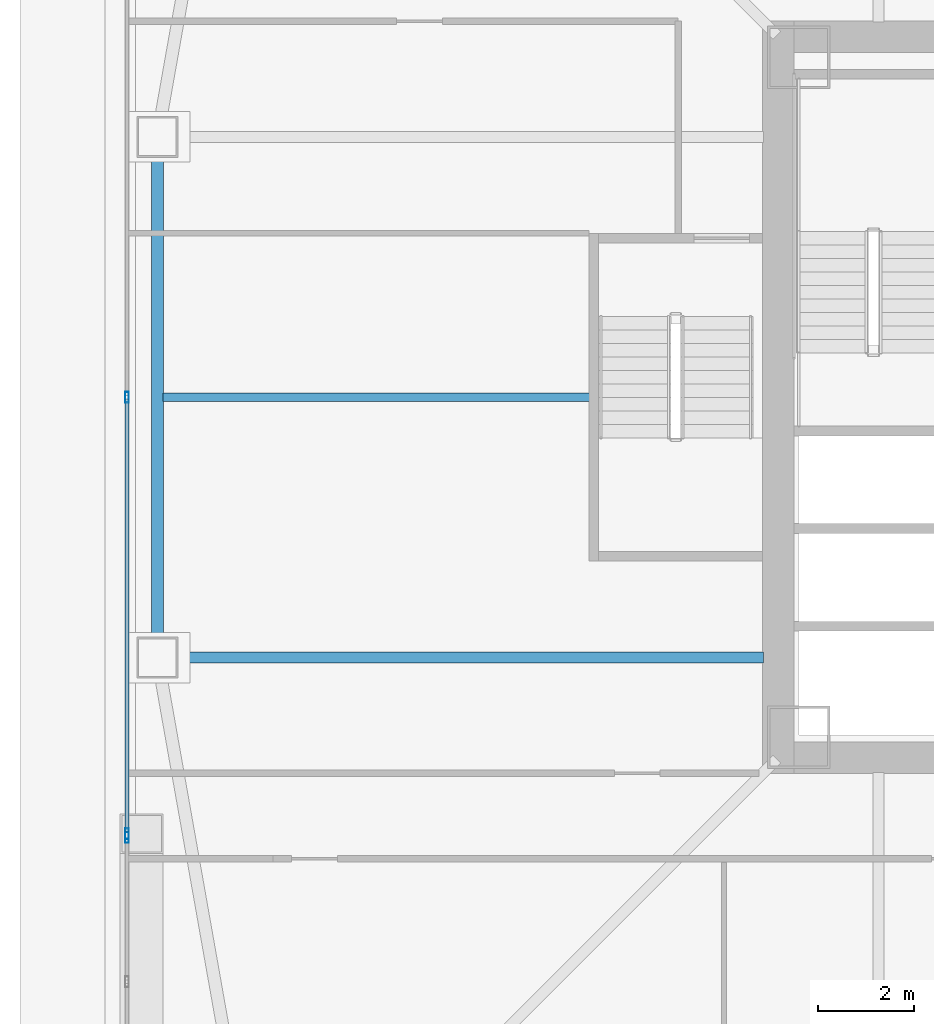
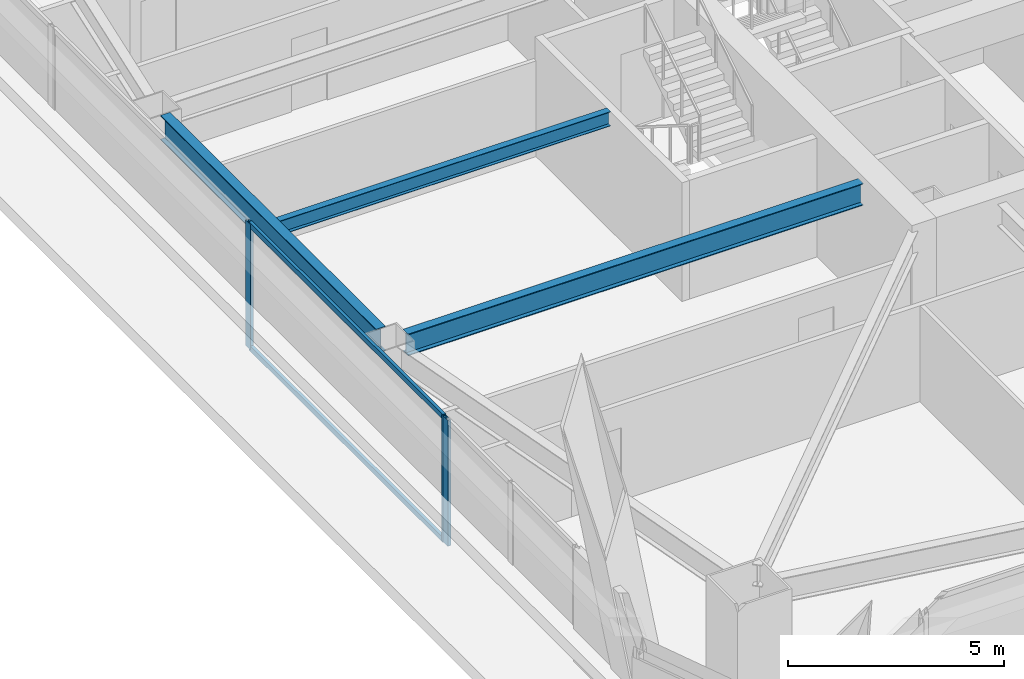
# One storey, part 10 of 67: 5 members, 3 beams, 2 elements without a shape of their own.
"""IFC4 building model written with IfcOpenShell, lengths in metres."""

from ifc_helpers import new_model, si_unit, direction, frame, origin, origin_2d, place, context, subcontext, project, spatial, hollow_rectangle, i_section, extrude, material, material_profile, profile_set, type_object, element, aggregate, save


model = new_model("IFC4")

# Units and contexts
model_context = context("Model", 3, precision=1e-05, world=origin(), true_north=direction((0.0, 1.0)))
body_context = subcontext(model_context, "Body", "Model", "MODEL_VIEW")
ifc_project = project(units=[si_unit("LENGTHUNIT", "METRE"), si_unit("AREAUNIT", "SQUARE_METRE"), si_unit("VOLUMEUNIT", "CUBIC_METRE"), si_unit("PLANEANGLEUNIT", "RADIAN"), si_unit("MASSUNIT", "GRAM", prefix="KILO")], contexts=[model_context])

# Site, building, storey
site_placement = place(None, origin())
site = spatial("IfcSite", under=ifc_project, at=site_placement, CompositionType="ELEMENT")
building_placement = place(site_placement, origin())
building = spatial("IfcBuilding", under=site, at=building_placement, Name="Tashvorn Skyway Center", CompositionType="ELEMENT")
storey_placement = place(building_placement, frame((0.0, 0.0, 67.199951171875)))
storey = spatial("IfcBuildingStorey", under=building, at=storey_placement, Name="L17", CompositionType="ELEMENT", Elevation=67.199951171875)

# Beams
ifc_material_1 = material(Name="Steel ASTM A992 Grade 50", Category="steel")
ifc_material_profile_1 = material_profile(ifc_material_1, i_section(OverallWidth=0.22998046875, OverallDepth=0.616943359375, WebThickness=0.01318359375, FlangeThickness=0.022216796875, at=origin_2d()), Name="W24X94")
ifc_profile_set_1 = profile_set([ifc_material_profile_1], Name="Steel ASTM A992 Grade 50")
beam_type_1 = type_object("IfcBeamType", Name="BM-BEAM-W24X94", PredefinedType="BEAM", material=ifc_profile_set_1)
beam_1_placement = place(storey_placement, frame((22.070068359375, 26.60009765625, 3.04150390625), z_axis=(1.0, 0.0, 0.0), x_axis=(0.0, 1.0, 0.0)))
element("IfcBeam", 1, at=beam_1_placement, inside=storey, type_object=beam_type_1, Name="Tower 1 L17 Primary Floor Girder FC-W2", PredefinedType="BEAM", context=body_context, shape_type="SweptSolid", body=[
    extrude(i_section(OverallWidth=0.22998046875, OverallDepth=0.616943359375, WebThickness=0.01318359375, FlangeThickness=0.022216796875, at=origin_2d()), origin(), (0.0, 0.0, 1.0), 12.14990234375),
])
ifc_material_profile_2 = material_profile(ifc_material_1, i_section(OverallWidth=0.177978515625, OverallDepth=0.406005859375, WebThickness=0.0078125, FlangeThickness=0.0126953125, at=origin_2d()), Name="W16X40")
ifc_profile_set_2 = profile_set([ifc_material_profile_2], Name="Steel ASTM A992 Grade 50")
beam_type_2 = type_object("IfcBeamType", Name="BM-JOIST-W16X40", PredefinedType="JOIST", material=ifc_profile_set_2)
beam_2_placement = place(storey_placement, frame((30.610107421875, 32.0, 3.14697265625), z_axis=(-1.0, 0.0, 0.0), x_axis=(0.0, -1.0, 0.0)))
element("IfcBeam", 2, at=beam_2_placement, inside=storey, type_object=beam_type_2, Name="Tower 1 L17 Secondary Composite Joist JW", PredefinedType="JOIST", context=body_context, shape_type="SweptSolid", body=[
    extrude(i_section(OverallWidth=0.177978515625, OverallDepth=0.406005859375, WebThickness=0.0078125, FlangeThickness=0.0126953125, at=origin_2d()), origin(), (0.0, 0.0, 1.0), 8.840087890625),
])
ifc_material_profile_3 = material_profile(ifc_material_1, i_section(OverallWidth=0.256103515625, OverallDepth=0.693115234375, WebThickness=0.014404296875, FlangeThickness=0.023681640625, at=origin_2d()), Name="W27X114")
ifc_profile_set_3 = profile_set([ifc_material_profile_3], Name="Steel ASTM A992 Grade 50")
beam_type_3 = type_object("IfcBeamType", Name="BM-SPANDREL-W27X114", PredefinedType="SPANDREL", material=ifc_profile_set_3)
beam_3_placement = place(storey_placement, frame((21.64990234375, 36.97998046875, 3.003662109375), z_axis=(0.0, -1.0, 0.0), x_axis=(1.0, 0.0, 0.0)))
element("IfcBeam", 3, at=beam_3_placement, inside=storey, type_object=beam_type_3, Name="Tower 1 L17 Spandrel Beam 11", PredefinedType="SPANDREL", context=body_context, shape_type="SweptSolid", body=[
    extrude(i_section(OverallWidth=0.256103515625, OverallDepth=0.693115234375, WebThickness=0.014404296875, FlangeThickness=0.023681640625, at=origin_2d()), origin(), (0.0, 0.0, 1.0), 9.9599609375),
])

# Curtain wall, member
ifc_material_2 = material(Name="Thermally broken bronze-anodized aluminium 6063-T6", Category="aluminium")
curtain_wall_type = type_object("IfcCurtainWallType", Name="CW-CW-Z2", PredefinedType="NOTDEFINED", material=ifc_material_2)
curtain_wall_1_placement = place(storey_placement, origin())
curtain_wall_1 = element("IfcCurtainWall", 4, at=curtain_wall_1_placement, inside=storey, type_object=curtain_wall_type, Name="Tower 1 L17 West Unitised Curtain Wall Glazing Group 1", PredefinedType="NOTDEFINED")
ifc_material_profile_4 = material_profile(ifc_material_2, hollow_rectangle(XDim=0.080078125, YDim=0.219970703125, WallThickness=0.0048828125, at=origin_2d()), Name="ALU-MULL-80x220")
ifc_profile_set_4 = profile_set([ifc_material_profile_4], Name="Thermally broken bronze-anodized aluminium 6063-T6")
member_type_1 = type_object("IfcMemberType", Name="CWM-CW-Z2", PredefinedType="MULLION", material=ifc_profile_set_4)
member_1_placement = place(storey_placement, frame((21.02001953125, 22.8701171875, 0.0), z_axis=(0.0, 0.0, 1.0), x_axis=(-1.0, 0.0, 0.0)))
member_1 = element("IfcMember", 5, at=member_1_placement, type_object=member_type_1, Name="CW-Z2 mullion 3", PredefinedType="MULLION", context=body_context, shape_type="SweptSolid", body=[
    extrude(hollow_rectangle(XDim=0.080078125, YDim=0.219970703125, WallThickness=0.0048828125, at=origin_2d()), origin(), (0.0, 0.0, 1.0), 3.550048828125),
])
aggregate(curtain_wall_1, [member_1])

# Curtain wall, members
curtain_wall_2_placement = place(storey_placement, origin())
curtain_wall_2 = element("IfcCurtainWall", 6, at=curtain_wall_2_placement, inside=storey, type_object=curtain_wall_type, Name="Tower 1 L17 West Unitised Curtain Wall Glazing Group 2", PredefinedType="NOTDEFINED")
member_2_placement = place(storey_placement, frame((21.02001953125, 22.949951171875, 0.0), z_axis=(0.0, 0.0, 1.0), x_axis=(-1.0, 0.0, 0.0)))
member_2 = element("IfcMember", 7, at=member_2_placement, type_object=member_type_1, Name="CW-Z2 mullion 1", PredefinedType="MULLION", context=body_context, shape_type="SweptSolid", body=[
    extrude(hollow_rectangle(XDim=0.080078125, YDim=0.219970703125, WallThickness=0.0048828125, at=origin_2d()), origin(), (0.0, 0.0, 1.0), 3.550048828125),
])
member_3_placement = place(storey_placement, frame((21.02001953125, 32.0, 0.0), z_axis=(0.0, 0.0, 1.0), x_axis=(-1.0, 0.0, 0.0)))
member_3 = element("IfcMember", 8, at=member_3_placement, type_object=member_type_1, Name="CW-Z2 mullion 2", PredefinedType="MULLION", context=body_context, shape_type="SweptSolid", body=[
    extrude(hollow_rectangle(XDim=0.080078125, YDim=0.219970703125, WallThickness=0.0048828125, at=origin_2d()), origin(), (0.0, 0.0, 1.0), 3.550048828125),
])
ifc_material_profile_5 = material_profile(ifc_material_2, hollow_rectangle(XDim=0.080078125, YDim=0.14990234375, WallThickness=0.00439453125, at=origin_2d()), Name="ALU-TRAN-80x150")
ifc_profile_set_5 = profile_set([ifc_material_profile_5], Name="Thermally broken bronze-anodized aluminium 6063-T6")
member_type_2 = type_object("IfcMemberType", Name="CWT-CW-Z2", PredefinedType="USERDEFINED", material=ifc_profile_set_5)
member_4_placement = place(storey_placement, frame((21.02001953125, 22.989990234375, 0.0400390625), z_axis=(0.0, 1.0, 0.0), x_axis=(-1.0, 0.0, 0.0)))
member_4 = element("IfcMember", 9, at=member_4_placement, type_object=member_type_2, Name="CW-Z2 transom 1.1", ObjectType="TRANSOM", PredefinedType="USERDEFINED", context=body_context, shape_type="SweptSolid", body=[
    extrude(hollow_rectangle(XDim=0.080078125, YDim=0.14990234375, WallThickness=0.00439453125, at=origin_2d()), origin(), (0.0, 0.0, 1.0), 8.969970703125),
])
member_5_placement = place(storey_placement, frame((21.02001953125, 22.989990234375, 3.510009765625), z_axis=(0.0, 1.0, 0.0), x_axis=(-1.0, 0.0, 0.0)))
member_5 = element("IfcMember", 10, at=member_5_placement, type_object=member_type_2, Name="CW-Z2 transom 1.2", ObjectType="TRANSOM", PredefinedType="USERDEFINED", context=body_context, shape_type="SweptSolid", body=[
    extrude(hollow_rectangle(XDim=0.080078125, YDim=0.14990234375, WallThickness=0.00439453125, at=origin_2d()), origin(), (0.0, 0.0, 1.0), 8.969970703125),
])
aggregate(curtain_wall_2, [member_2, member_3, member_4, member_5])

save(model, "model.ifc")
